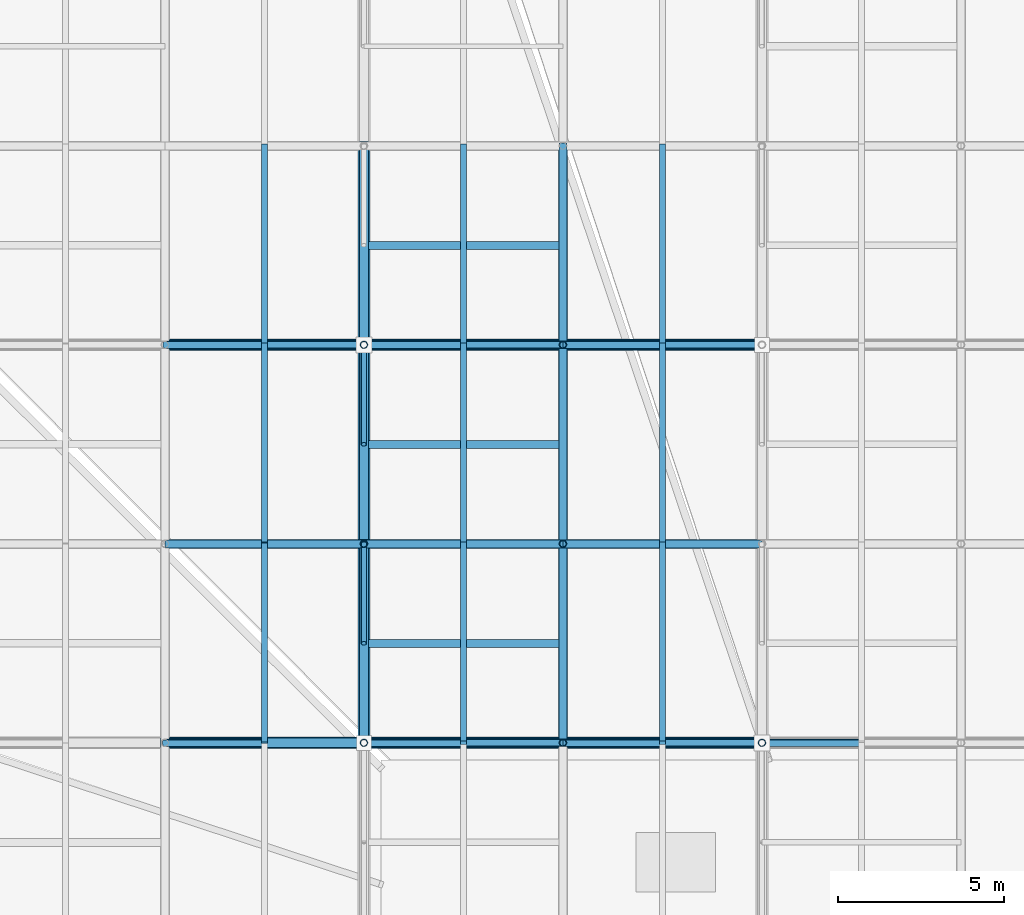
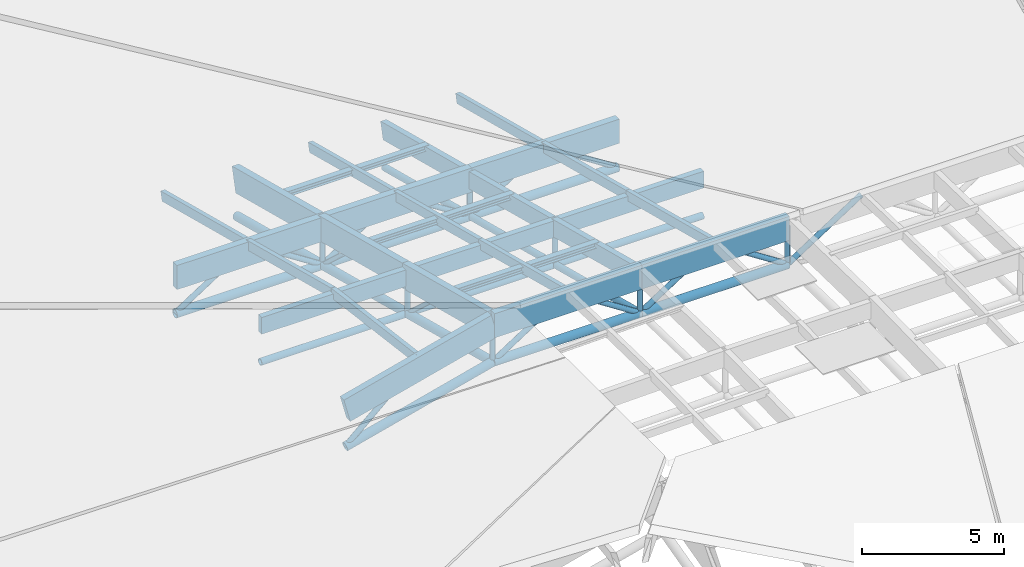
# One storey, part 22 of 80: 63 members.
"""IFC4 building model written with IfcOpenShell, lengths in metres."""

from ifc_helpers import new_model, si_unit, direction, frame, origin, origin_2d, place, context, subcontext, project, spatial, rectangle, hollow_circle, i_section, extrude, material, material_profile, profile_set, type_object, element, save


model = new_model("IFC4")

# Units and contexts
model_context = context("Model", 3, precision=1e-05, world=origin(), true_north=direction((0.0, 1.0)))
body_context = subcontext(model_context, "Body", "Model", "MODEL_VIEW")
ifc_project = project(units=[si_unit("LENGTHUNIT", "METRE"), si_unit("AREAUNIT", "SQUARE_METRE"), si_unit("VOLUMEUNIT", "CUBIC_METRE"), si_unit("PLANEANGLEUNIT", "RADIAN"), si_unit("MASSUNIT", "GRAM", prefix="KILO"), si_unit("THERMODYNAMICTEMPERATUREUNIT", "KELVIN"), si_unit("POWERUNIT", "WATT")], contexts=[model_context])

# Site, building, storey
site_placement = place(None, origin())
site = spatial("IfcSite", under=ifc_project, at=site_placement, CompositionType="ELEMENT")
building_placement = place(site_placement, origin())
building = spatial("IfcBuilding", under=site, at=building_placement, Name="Solmara Park Aquatics Centre", CompositionType="ELEMENT")
storey_placement = place(building_placement, frame((0.0, 0.0, 22.800048828125)))
storey = spatial("IfcBuildingStorey", under=building, at=storey_placement, Name="RF", CompositionType="ELEMENT", Elevation=22.800048828125)

# Members
ifc_material_1 = material(Name="Structural Steel S355", Category="steel")
ifc_material_profile_1 = material_profile(ifc_material_1, hollow_circle(Radius=0.084228515625, WallThickness=0.008056640625, at=origin_2d()), Name="CHS 168.3x8")
ifc_profile_set_1 = profile_set([ifc_material_profile_1], Name="Structural Steel S355")
member_type_1 = type_object("IfcMemberType", Name="STR-BRC-CHS168", PredefinedType="BRACE", material=ifc_profile_set_1)
for number, where, z_axis, x_axis, name in (
    (1, (36.60009765625, 54.60009765625, -6.486328125), (0.0, -0.736437262703, 0.67650584484), (1.0, 0.0, 0.0), "Roof Truss Web Diagonal Y 2050"),
    (2, (36.60009765625, 60.60009765625, -8.0380859375), (0.0, -0.736437262703, 0.67650584484), (1.0, 0.0, 0.0), "Roof Truss Web Diagonal Y 2075"),
):
    element("IfcMember", number, at=place(storey_placement, frame(where, z_axis=z_axis, x_axis=x_axis)), inside=storey, type_object=member_type_1, Name=name, PredefinedType="BRACE", context=body_context, shape_type="SweptSolid", body=[
        extrude(hollow_circle(Radius=0.084228515625, WallThickness=0.008056640625, at=origin_2d()), origin(), (0.0, 0.0, 1.0), 4.07373046875),
    ])
ifc_material_profile_2 = material_profile(ifc_material_1, hollow_circle(Radius=0.109619140625, WallThickness=0.010009765625, at=origin_2d()), Name="CHS 219.1x10")
ifc_profile_set_2 = profile_set([ifc_material_profile_2], Name="Structural Steel S355")
member_type_2 = type_object("IfcMemberType", Name="STR-BRC-CHS219", PredefinedType="BRACE", material=ifc_profile_set_2)
member_1_placement = place(storey_placement, frame((30.60009765625, 48.60009765625, -6.486328125), z_axis=(0.741347083846, 0.0, 0.671121822974), x_axis=(0.0, 1.0, 0.0)))
element("IfcMember", 3, at=member_1_placement, inside=storey, type_object=member_type_2, Name="Roof Truss Web Diagonal X 1496", PredefinedType="BRACE", context=body_context, shape_type="SweptSolid", body=[
    extrude(hollow_circle(Radius=0.109619140625, WallThickness=0.010009765625, at=origin_2d()), origin(), (0.0, 0.0, 1.0), 4.046630859375),
])
for number, where, z_axis, x_axis, name in (
    (4, (30.60009765625, 60.60009765625, -8.0380859375), (0.83972779743, 0.0, 0.543007574738), (0.0, 1.0, 0.0), "Roof Truss Web Diagonal X 1497"),
    (5, (36.60009765625, 60.60009765625, -8.0380859375), (-0.83972779743, 0.0, 0.543007574738), (0.0, -1.0, 0.0), "Roof Truss Web Diagonal X 1498"),
    (6, (36.60009765625, 48.60009765625, -4.9345703125), (0.83972779743, 0.0, 0.543007574738), (0.0, 1.0, 0.0), "Roof Truss Web Diagonal X 1525"),
    (7, (42.60009765625, 48.60009765625, -4.9345703125), (-0.83972779743, 0.0, 0.543007574738), (0.0, -1.0, 0.0), "Roof Truss Web Diagonal X 1526"),
    (8, (36.60009765625, 60.60009765625, -8.0380859375), (0.83972779743, 0.0, 0.543007574738), (0.0, 1.0, 0.0), "Roof Truss Web Diagonal X 1527"),
    (9, (42.60009765625, 60.60009765625, -8.0380859375), (-0.83972779743, 0.0, 0.543007574738), (0.0, -1.0, 0.0), "Roof Truss Web Diagonal X 1528"),
    (10, (42.60009765625, 48.60009765625, -4.9345703125), (0.83972779743, 0.0, 0.543007574738), (0.0, 1.0, 0.0), "Roof Truss Web Diagonal X 1555"),
    (11, (48.60009765625, 48.60009765625, -4.9345703125), (-0.83972779743, 0.0, 0.543007574738), (0.0, -1.0, 0.0), "Roof Truss Web Diagonal X 1556"),
    (12, (42.60009765625, 60.60009765625, -8.0380859375), (0.83972779743, 0.0, 0.543007574738), (0.0, 1.0, 0.0), "Roof Truss Web Diagonal X 1557"),
    (13, (48.60009765625, 60.60009765625, -8.0380859375), (-0.83972779743, 0.0, 0.543007574738), (0.0, -1.0, 0.0), "Roof Truss Web Diagonal X 1558"),
    (14, (48.60009765625, 48.60009765625, -4.9345703125), (0.83972779743, 0.0, 0.543007574738), (0.0, 1.0, 0.0), "Roof Truss Web Diagonal X 1585"),
):
    element("IfcMember", number, at=place(storey_placement, frame(where, z_axis=z_axis, x_axis=x_axis)), inside=storey, type_object=member_type_2, Name=name, PredefinedType="BRACE", context=body_context, shape_type="SweptSolid", body=[
        extrude(hollow_circle(Radius=0.109619140625, WallThickness=0.010009765625, at=origin_2d()), origin(), (0.0, 0.0, 1.0), 3.572509765625),
    ])
ifc_material_profile_3 = material_profile(ifc_material_1, hollow_circle(Radius=0.136474609375, WallThickness=0.012451171875, at=origin_2d()), Name="CHS 273x12.5")
ifc_profile_set_3 = profile_set([ifc_material_profile_3], Name="Structural Steel S355")
member_type_3 = type_object("IfcMemberType", Name="STR-CHD-CHS273", PredefinedType="CHORD", material=ifc_profile_set_3)
for number, where, z_axis, x_axis, name in (
    (15, (30.60009765625, 54.60009765625, -6.486328125), (1.0, 0.0, 0.0), (0.0, 1.0, 0.0), "Steel Roof Truss Bottom Chord X 0336"),
    (16, (36.60009765625, 54.60009765625, -6.486328125), (1.0, 0.0, 0.0), (0.0, 1.0, 0.0), "Steel Roof Truss Bottom Chord X 0338"),
    (17, (42.60009765625, 54.60009765625, -6.486328125), (1.0, 0.0, 0.0), (0.0, 1.0, 0.0), "Steel Roof Truss Bottom Chord X 0340"),
):
    element("IfcMember", number, at=place(storey_placement, frame(where, z_axis=z_axis, x_axis=x_axis)), inside=storey, type_object=member_type_3, Name=name, PredefinedType="CHORD", context=body_context, shape_type="SweptSolid", body=[
        extrude(hollow_circle(Radius=0.136474609375, WallThickness=0.012451171875, at=origin_2d()), origin(), (0.0, 0.0, 1.0), 6.0),
    ])
for number, where, z_axis, x_axis, name in (
    (18, (42.60009765625, 48.60009765625, -4.9345703125), (0.0, 0.968145594442, -0.250387914969), (-1.0, 0.0, 0.0), "Steel Roof Truss Bottom Chord Y 0754"),
    (19, (42.60009765625, 54.60009765625, -6.486328125), (0.0, 0.968145594442, -0.250387914969), (-1.0, 0.0, 0.0), "Steel Roof Truss Bottom Chord Y 0756"),
    (20, (42.60009765625, 60.60009765625, -8.0380859375), (0.0, 0.968145594442, -0.250387914969), (-1.0, 0.0, 0.0), "Steel Roof Truss Bottom Chord Y 0758"),
):
    element("IfcMember", number, at=place(storey_placement, frame(where, z_axis=z_axis, x_axis=x_axis)), inside=storey, type_object=member_type_3, Name=name, PredefinedType="CHORD", context=body_context, shape_type="SweptSolid", body=[
        extrude(hollow_circle(Radius=0.136474609375, WallThickness=0.012451171875, at=origin_2d()), origin(), (0.0, 0.0, 1.0), 6.197509765625),
    ])
ifc_material_profile_4 = material_profile(ifc_material_1, hollow_circle(Radius=0.177734375, WallThickness=0.01611328125, at=origin_2d()), Name="CHS 355.6x16")
ifc_profile_set_4 = profile_set([ifc_material_profile_4], Name="Structural Steel S355")
member_type_4 = type_object("IfcMemberType", Name="STR-CHD-CHS355", PredefinedType="CHORD", material=ifc_profile_set_4)
member_2_placement = place(storey_placement, frame((30.60009765625, 48.60009765625, -6.486328125), z_axis=(0.968145594442, 0.0, 0.250387914969), x_axis=(0.0, 1.0, 0.0)))
element("IfcMember", 21, at=member_2_placement, inside=storey, type_object=member_type_4, Name="Steel Roof Truss Bottom Chord X 0300", PredefinedType="CHORD", context=body_context, shape_type="SweptSolid", body=[
    extrude(hollow_circle(Radius=0.177734375, WallThickness=0.01611328125, at=origin_2d()), origin(), (0.0, 0.0, 1.0), 6.197509765625),
])
for number, where, z_axis, x_axis, name in (
    (22, (36.60009765625, 48.60009765625, -4.9345703125), (1.0, 0.0, 0.0), (0.0, 1.0, 0.0), "Steel Roof Truss Bottom Chord X 0302"),
    (23, (42.60009765625, 48.60009765625, -4.9345703125), (1.0, 0.0, 0.0), (0.0, 1.0, 0.0), "Steel Roof Truss Bottom Chord X 0304"),
    (24, (30.60009765625, 60.60009765625, -8.0380859375), (1.0, 0.0, 0.0), (0.0, 1.0, 0.0), "Steel Roof Truss Bottom Chord X 0372"),
    (25, (36.60009765625, 60.60009765625, -8.0380859375), (1.0, 0.0, 0.0), (0.0, 1.0, 0.0), "Steel Roof Truss Bottom Chord X 0374"),
    (26, (42.60009765625, 60.60009765625, -8.0380859375), (1.0, 0.0, 0.0), (0.0, 1.0, 0.0), "Steel Roof Truss Bottom Chord X 0376"),
):
    element("IfcMember", number, at=place(storey_placement, frame(where, z_axis=z_axis, x_axis=x_axis)), inside=storey, type_object=member_type_4, Name=name, PredefinedType="CHORD", context=body_context, shape_type="SweptSolid", body=[
        extrude(hollow_circle(Radius=0.177734375, WallThickness=0.01611328125, at=origin_2d()), origin(), (0.0, 0.0, 1.0), 6.0),
    ])
for number, where, z_axis, x_axis, name in (
    (27, (36.60009765625, 48.60009765625, -4.9345703125), (0.0, 0.968145594442, -0.250387914969), (-1.0, 0.0, 0.0), "Steel Roof Truss Bottom Chord Y 0726"),
    (28, (36.60009765625, 54.60009765625, -6.486328125), (0.0, 0.968145594442, -0.250387914969), (-1.0, 0.0, 0.0), "Steel Roof Truss Bottom Chord Y 0728"),
    (29, (36.60009765625, 60.60009765625, -8.0380859375), (0.0, 0.968145594442, -0.250387914969), (-1.0, 0.0, 0.0), "Steel Roof Truss Bottom Chord Y 0730"),
):
    element("IfcMember", number, at=place(storey_placement, frame(where, z_axis=z_axis, x_axis=x_axis)), inside=storey, type_object=member_type_4, Name=name, PredefinedType="CHORD", context=body_context, shape_type="SweptSolid", body=[
        extrude(hollow_circle(Radius=0.177734375, WallThickness=0.01611328125, at=origin_2d()), origin(), (0.0, 0.0, 1.0), 6.197509765625),
    ])
ifc_material_2 = material(Name="Glulam Timber GL28h", Category="wood")
ifc_material_profile_5 = material_profile(ifc_material_2, rectangle(XDim=0.239990234375, YDim=0.719970703125, at=origin_2d()), Name="GL28h 240x720")
ifc_profile_set_5 = profile_set([ifc_material_profile_5], Name="Glulam Timber GL28h")
member_type_5 = type_object("IfcMemberType", Name="STR-CHD-GL240x720", PredefinedType="CHORD", material=ifc_profile_set_5)
for number, where, z_axis, x_axis, name in (
    (30, (30.60009765625, 54.60009765625, -4.866455078125), (1.0, 0.0, 0.0), (0.0, 1.0, 0.0), "Glulam Roof Truss Top Chord X 0335"),
    (31, (36.60009765625, 54.60009765625, -4.866455078125), (1.0, 0.0, 0.0), (0.0, 1.0, 0.0), "Glulam Roof Truss Top Chord X 0337"),
    (32, (42.60009765625, 54.60009765625, -4.866455078125), (1.0, 0.0, 0.0), (0.0, 1.0, 0.0), "Glulam Roof Truss Top Chord X 0339"),
):
    element("IfcMember", number, at=place(storey_placement, frame(where, z_axis=z_axis, x_axis=x_axis)), inside=storey, type_object=member_type_5, Name=name, PredefinedType="CHORD", context=body_context, shape_type="SweptSolid", body=[
        extrude(rectangle(XDim=0.239990234375, YDim=0.719970703125, at=origin_2d()), origin(), (0.0, 0.0, 1.0), 6.0),
    ])
member_3_placement = place(storey_placement, frame((42.60009765625, 48.60009765625, -3.314697265625), z_axis=(0.0, 0.968145594442, -0.250387914969), x_axis=(-1.0, 0.0, 0.0)))
element("IfcMember", 33, at=member_3_placement, inside=storey, type_object=member_type_5, Name="Glulam Roof Truss Top Chord Y 0753", PredefinedType="CHORD", context=body_context, shape_type="SweptSolid", body=[
    extrude(rectangle(XDim=0.239990234375, YDim=0.719970703125, at=origin_2d()), origin(), (0.0, 0.0, 1.0), 6.197509765625),
])
member_4_placement = place(storey_placement, frame((42.60009765625, 54.60009765625, -4.866455078125), z_axis=(0.0, 0.968155143395, -0.250350990246), x_axis=(-1.0, 0.0, 0.0)))
element("IfcMember", 34, at=member_4_placement, inside=storey, type_object=member_type_5, Name="Glulam Roof Truss Top Chord Y 0755", PredefinedType="CHORD", context=body_context, shape_type="SweptSolid", body=[
    extrude(rectangle(XDim=0.239990234375, YDim=0.719970703125, at=origin_2d()), origin(), (0.0, 0.0, 1.0), 6.197265625),
])
member_5_placement = place(storey_placement, frame((42.60009765625, 60.60009765625, -6.41796875), z_axis=(0.0, 0.968145594442, -0.250387914969), x_axis=(-1.0, 0.0, 0.0)))
element("IfcMember", 35, at=member_5_placement, inside=storey, type_object=member_type_5, Name="Glulam Roof Truss Top Chord Y 0757", PredefinedType="CHORD", context=body_context, shape_type="SweptSolid", body=[
    extrude(rectangle(XDim=0.239990234375, YDim=0.719970703125, at=origin_2d()), origin(), (0.0, 0.0, 1.0), 6.197509765625),
])
ifc_material_profile_6 = material_profile(ifc_material_2, rectangle(XDim=0.280029296875, YDim=1.0400390625, at=origin_2d()), Name="GL28h 280x1040")
ifc_profile_set_6 = profile_set([ifc_material_profile_6], Name="Glulam Timber GL28h")
member_type_6 = type_object("IfcMemberType", Name="STR-CHD-GL280x1040", PredefinedType="CHORD", material=ifc_profile_set_6)
member_6_placement = place(storey_placement, frame((30.60009765625, 48.60009765625, -4.866455078125), z_axis=(0.968145594442, 0.0, 0.250387914969), x_axis=(0.0, 1.0, 0.0)))
element("IfcMember", 36, at=member_6_placement, inside=storey, type_object=member_type_6, Name="Glulam Roof Truss Top Chord X 0299", PredefinedType="CHORD", context=body_context, shape_type="SweptSolid", body=[
    extrude(rectangle(XDim=0.280029296875, YDim=1.0400390625, at=origin_2d()), origin(), (0.0, 0.0, 1.0), 6.197509765625),
])
for number, where, z_axis, x_axis, name in (
    (37, (36.60009765625, 48.60009765625, -3.314697265625), (1.0, 0.0, 0.0), (0.0, 1.0, 0.0), "Glulam Roof Truss Top Chord X 0301"),
    (38, (42.60009765625, 48.60009765625, -3.314697265625), (1.0, 0.0, 0.0), (0.0, 1.0, 0.0), "Glulam Roof Truss Top Chord X 0303"),
    (39, (30.60009765625, 60.60009765625, -6.41796875), (1.0, 0.0, 0.0), (0.0, 1.0, 0.0), "Glulam Roof Truss Top Chord X 0371"),
    (40, (36.60009765625, 60.60009765625, -6.41796875), (1.0, 0.0, 0.0), (0.0, 1.0, 0.0), "Glulam Roof Truss Top Chord X 0373"),
    (41, (42.60009765625, 60.60009765625, -6.41796875), (1.0, 0.0, 0.0), (0.0, 1.0, 0.0), "Glulam Roof Truss Top Chord X 0375"),
):
    element("IfcMember", number, at=place(storey_placement, frame(where, z_axis=z_axis, x_axis=x_axis)), inside=storey, type_object=member_type_6, Name=name, PredefinedType="CHORD", context=body_context, shape_type="SweptSolid", body=[
        extrude(rectangle(XDim=0.280029296875, YDim=1.0400390625, at=origin_2d()), origin(), (0.0, 0.0, 1.0), 6.0),
    ])
member_7_placement = place(storey_placement, frame((36.60009765625, 48.60009765625, -3.314697265625), z_axis=(0.0, 0.968145594442, -0.250387914969), x_axis=(-1.0, 0.0, 0.0)))
element("IfcMember", 42, at=member_7_placement, inside=storey, type_object=member_type_6, Name="Glulam Roof Truss Top Chord Y 0725", PredefinedType="CHORD", context=body_context, shape_type="SweptSolid", body=[
    extrude(rectangle(XDim=0.280029296875, YDim=1.0400390625, at=origin_2d()), origin(), (0.0, 0.0, 1.0), 6.197509765625),
])
member_8_placement = place(storey_placement, frame((36.60009765625, 54.60009765625, -4.866455078125), z_axis=(0.0, 0.968155143395, -0.250350990246), x_axis=(-1.0, 0.0, 0.0)))
element("IfcMember", 43, at=member_8_placement, inside=storey, type_object=member_type_6, Name="Glulam Roof Truss Top Chord Y 0727", PredefinedType="CHORD", context=body_context, shape_type="SweptSolid", body=[
    extrude(rectangle(XDim=0.280029296875, YDim=1.0400390625, at=origin_2d()), origin(), (0.0, 0.0, 1.0), 6.197265625),
])
member_9_placement = place(storey_placement, frame((36.60009765625, 60.60009765625, -6.41796875), z_axis=(0.0, 0.968145594442, -0.250387914969), x_axis=(-1.0, 0.0, 0.0)))
element("IfcMember", 44, at=member_9_placement, inside=storey, type_object=member_type_6, Name="Glulam Roof Truss Top Chord Y 0729", PredefinedType="CHORD", context=body_context, shape_type="SweptSolid", body=[
    extrude(rectangle(XDim=0.280029296875, YDim=1.0400390625, at=origin_2d()), origin(), (0.0, 0.0, 1.0), 6.197509765625),
])
ifc_material_profile_7 = material_profile(ifc_material_2, rectangle(XDim=0.179931640625, YDim=0.39990234375, at=origin_2d()), Name="GL28h 180x400")
ifc_profile_set_7 = profile_set([ifc_material_profile_7], Name="Glulam Timber GL28h")
member_type_7 = type_object("IfcMemberType", Name="STR-PRL-GL180x400", PredefinedType="PURLIN", material=ifc_profile_set_7)
member_10_placement = place(storey_placement, frame((33.60009765625, 48.60009765625, -3.7705078125), z_axis=(0.0, 0.991742472473, -0.128245344137), x_axis=(-1.0, 0.0, 0.0)))
element("IfcMember", 45, at=member_10_placement, inside=storey, type_object=member_type_7, Name="Glulam Roof Purlin 1483", PredefinedType="PURLIN", context=body_context, shape_type="SweptSolid", body=[
    extrude(rectangle(XDim=0.179931640625, YDim=0.39990234375, at=origin_2d()), origin(), (0.0, 0.0, 1.0), 6.050048828125),
])
member_11_placement = place(storey_placement, frame((33.60009765625, 54.60009765625, -4.54638671875), z_axis=(0.0, 0.968145594442, -0.250387914969), x_axis=(-1.0, 0.0, 0.0)))
element("IfcMember", 46, at=member_11_placement, inside=storey, type_object=member_type_7, Name="Glulam Roof Purlin 1484", PredefinedType="PURLIN", context=body_context, shape_type="SweptSolid", body=[
    extrude(rectangle(XDim=0.179931640625, YDim=0.39990234375, at=origin_2d()), origin(), (0.0, 0.0, 1.0), 6.197509765625),
])
member_12_placement = place(storey_placement, frame((33.60009765625, 60.60009765625, -6.09814453125), z_axis=(0.0, 0.968155143395, -0.250350990246), x_axis=(-1.0, 0.0, 0.0)))
element("IfcMember", 47, at=member_12_placement, inside=storey, type_object=member_type_7, Name="Glulam Roof Purlin 1485", PredefinedType="PURLIN", context=body_context, shape_type="SweptSolid", body=[
    extrude(rectangle(XDim=0.179931640625, YDim=0.39990234375, at=origin_2d()), origin(), (0.0, 0.0, 1.0), 6.197265625),
])
for number, where, z_axis, x_axis, name in (
    (48, (39.60009765625, 48.60009765625, -2.99462890625), (0.0, 0.968145594442, -0.250387914969), (-1.0, 0.0, 0.0), "Glulam Roof Purlin 1511"),
    (49, (39.60009765625, 54.60009765625, -4.54638671875), (0.0, 0.968145594442, -0.250387914969), (-1.0, 0.0, 0.0), "Glulam Roof Purlin 1512"),
):
    element("IfcMember", number, at=place(storey_placement, frame(where, z_axis=z_axis, x_axis=x_axis)), inside=storey, type_object=member_type_7, Name=name, PredefinedType="PURLIN", context=body_context, shape_type="SweptSolid", body=[
        extrude(rectangle(XDim=0.179931640625, YDim=0.39990234375, at=origin_2d()), origin(), (0.0, 0.0, 1.0), 6.197509765625),
    ])
member_13_placement = place(storey_placement, frame((39.60009765625, 60.60009765625, -6.09814453125), z_axis=(0.0, 0.968155143395, -0.250350990246), x_axis=(-1.0, 0.0, 0.0)))
element("IfcMember", 50, at=member_13_placement, inside=storey, type_object=member_type_7, Name="Glulam Roof Purlin 1513", PredefinedType="PURLIN", context=body_context, shape_type="SweptSolid", body=[
    extrude(rectangle(XDim=0.179931640625, YDim=0.39990234375, at=origin_2d()), origin(), (0.0, 0.0, 1.0), 6.197265625),
])
for number, where, z_axis, x_axis, name in (
    (51, (45.60009765625, 48.60009765625, -2.99462890625), (0.0, 0.968145594442, -0.250387914969), (-1.0, 0.0, 0.0), "Glulam Roof Purlin 1541"),
    (52, (45.60009765625, 54.60009765625, -4.54638671875), (0.0, 0.968145594442, -0.250387914969), (-1.0, 0.0, 0.0), "Glulam Roof Purlin 1542"),
):
    element("IfcMember", number, at=place(storey_placement, frame(where, z_axis=z_axis, x_axis=x_axis)), inside=storey, type_object=member_type_7, Name=name, PredefinedType="PURLIN", context=body_context, shape_type="SweptSolid", body=[
        extrude(rectangle(XDim=0.179931640625, YDim=0.39990234375, at=origin_2d()), origin(), (0.0, 0.0, 1.0), 6.197509765625),
    ])
member_14_placement = place(storey_placement, frame((45.60009765625, 60.60009765625, -6.09814453125), z_axis=(0.0, 0.968155143395, -0.250350990246), x_axis=(-1.0, 0.0, 0.0)))
element("IfcMember", 53, at=member_14_placement, inside=storey, type_object=member_type_7, Name="Glulam Roof Purlin 1543", PredefinedType="PURLIN", context=body_context, shape_type="SweptSolid", body=[
    extrude(rectangle(XDim=0.179931640625, YDim=0.39990234375, at=origin_2d()), origin(), (0.0, 0.0, 1.0), 6.197265625),
])
ifc_material_profile_8 = material_profile(ifc_material_1, i_section(OverallWidth=0.239990234375, OverallDepth=0.22998046875, WebThickness=0.007568359375, FlangeThickness=0.011962890625, FilletRadius=0.02099609375, at=origin_2d()), Name="HEA 240")
ifc_profile_set_8 = profile_set([ifc_material_profile_8], Name="Structural Steel S355")
member_type_8 = type_object("IfcMemberType", Name="STR-PRL-HEA240", PredefinedType="PURLIN", material=ifc_profile_set_8)
for number, where, z_axis, x_axis, name in (
    (54, (36.60009765625, 51.60009765625, -3.75048828125), (1.0, 0.0, 0.0), (0.0, 1.0, 0.0), "Glulam Secondary Roof Purlin 2038"),
    (55, (36.60009765625, 57.60009765625, -5.30224609375), (1.0, 0.0, 0.0), (0.0, 1.0, 0.0), "Glulam Secondary Roof Purlin 2063"),
    (56, (36.60009765625, 63.60009765625, -6.85400390625), (1.0, 0.0, 0.0), (0.0, 1.0, 0.0), "Glulam Secondary Roof Purlin 2088"),
):
    element("IfcMember", number, at=place(storey_placement, frame(where, z_axis=z_axis, x_axis=x_axis)), inside=storey, type_object=member_type_8, Name=name, PredefinedType="PURLIN", context=body_context, shape_type="SweptSolid", body=[
        extrude(i_section(OverallWidth=0.239990234375, OverallDepth=0.22998046875, WebThickness=0.007568359375, FlangeThickness=0.011962890625, FilletRadius=0.02099609375, at=origin_2d()), origin(), (0.0, 0.0, 1.0), 6.0),
    ])
ifc_material_profile_9 = material_profile(ifc_material_1, hollow_circle(Radius=0.109619140625, WallThickness=0.010009765625, at=origin_2d()), Name="CHS 219.1x10")
ifc_profile_set_9 = profile_set([ifc_material_profile_9], Name="Structural Steel S355")
member_type_9 = type_object("IfcMemberType", Name="STR-PST-CHS219", PredefinedType="POST", material=ifc_profile_set_9)
for number, where, z_axis, x_axis, name in (
    (57, (36.60009765625, 48.60009765625, -4.9345703125), (0.0, 0.0, 1.0), (1.0, 0.0, 0.0), "Roof Truss Web Post 1164"),
    (58, (36.60009765625, 54.60009765625, -6.486328125), (0.0, 0.0, 1.0), (1.0, 0.0, 0.0), "Roof Truss Web Post 1165"),
):
    element("IfcMember", number, at=place(storey_placement, frame(where, z_axis=z_axis, x_axis=x_axis)), inside=storey, type_object=member_type_9, Name=name, PredefinedType="POST", context=body_context, shape_type="SweptSolid", body=[
        extrude(hollow_circle(Radius=0.109619140625, WallThickness=0.010009765625, at=origin_2d()), origin(), (0.0, 0.0, 1.0), 1.619873046875),
    ])
member_15_placement = place(storey_placement, frame((36.60009765625, 60.60009765625, -8.0380859375), z_axis=(0.0, 0.0, 1.0), x_axis=(1.0, 0.0, 0.0)))
element("IfcMember", 59, at=member_15_placement, inside=storey, type_object=member_type_9, Name="Roof Truss Web Post 1166", PredefinedType="POST", context=body_context, shape_type="SweptSolid", body=[
    extrude(hollow_circle(Radius=0.109619140625, WallThickness=0.010009765625, at=origin_2d()), origin(), (0.0, 0.0, 1.0), 1.6201171875),
])
for number, where, z_axis, x_axis, name in (
    (60, (42.60009765625, 48.60009765625, -4.9345703125), (0.0, 0.0, 1.0), (1.0, 0.0, 0.0), "Roof Truss Web Post 1179"),
    (61, (42.60009765625, 54.60009765625, -6.486328125), (0.0, 0.0, 1.0), (1.0, 0.0, 0.0), "Roof Truss Web Post 1180"),
):
    element("IfcMember", number, at=place(storey_placement, frame(where, z_axis=z_axis, x_axis=x_axis)), inside=storey, type_object=member_type_9, Name=name, PredefinedType="POST", context=body_context, shape_type="SweptSolid", body=[
        extrude(hollow_circle(Radius=0.109619140625, WallThickness=0.010009765625, at=origin_2d()), origin(), (0.0, 0.0, 1.0), 1.619873046875),
    ])
member_16_placement = place(storey_placement, frame((42.60009765625, 60.60009765625, -8.0380859375), z_axis=(0.0, 0.0, 1.0), x_axis=(1.0, 0.0, 0.0)))
element("IfcMember", 62, at=member_16_placement, inside=storey, type_object=member_type_9, Name="Roof Truss Web Post 1181", PredefinedType="POST", context=body_context, shape_type="SweptSolid", body=[
    extrude(hollow_circle(Radius=0.109619140625, WallThickness=0.010009765625, at=origin_2d()), origin(), (0.0, 0.0, 1.0), 1.6201171875),
])
member_17_placement = place(storey_placement, frame((48.60009765625, 48.60009765625, -4.9345703125), z_axis=(0.0, 0.0, 1.0), x_axis=(1.0, 0.0, 0.0)))
element("IfcMember", 63, at=member_17_placement, inside=storey, type_object=member_type_9, Name="Roof Truss Web Post 1194", PredefinedType="POST", context=body_context, shape_type="SweptSolid", body=[
    extrude(hollow_circle(Radius=0.109619140625, WallThickness=0.010009765625, at=origin_2d()), origin(), (0.0, 0.0, 1.0), 1.619873046875),
])

save(model, "model.ifc")
